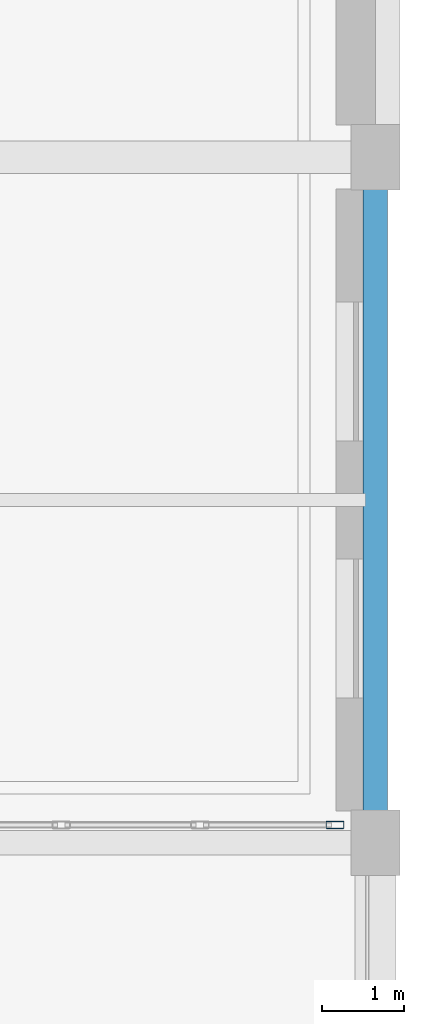
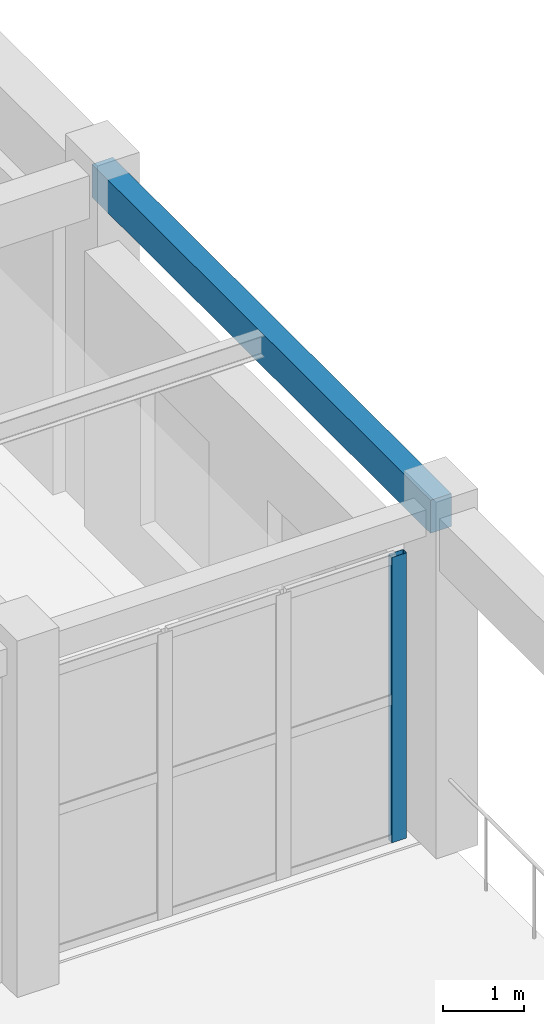
# One storey, part 52 of 98: 1 beam, 1 member, 1 element without a shape of its own.
"""IFC4 building model written with IfcOpenShell, lengths in metres."""

import ifcopenshell
import ifcopenshell.guid

model = None  # the IFC model being written
_history = None  # IfcOwnerHistory: only IFC2X3 demands one
_inside = {}  # id of a spatial element -> (the spatial element, [elements in it])
_under = {}  # id of a project, library or spatial element -> (it, [spatial elements below it])
_declared = {}  # id of a project -> (the project, [libraries it declares])
_typed = {}  # id of a type object -> (the type object, [elements of that type])
_made_of = {}  # id of a material, layer set ... -> (it, [elements and type objects made of it])


def new_model(schema):
    """Start an empty IFC model of exactly this schema.

    Asked for "IFC4X3", IfcOpenShell would pick the latest addendum, in which some entities
    have other attributes; the version numbers below select the first issue.
    IFC2X3 requires an IfcOwnerHistory on every rooted entity: one is made here for all.
    """
    global model, _history
    if schema == "IFC4X3":
        model = ifcopenshell.file(schema_version=(4, 3, 0, 0))
    else:
        model = ifcopenshell.file(schema=schema)
    _inside.clear()
    _under.clear()
    _declared.clear()
    _typed.clear()
    _made_of.clear()
    _history = None
    if model.schema == "IFC2X3":
        org = make("IfcOrganization", Name="unknown")
        user = make(
            "IfcPersonAndOrganization",
            ThePerson=make("IfcPerson", FamilyName="unknown"),
            TheOrganization=org,
        )
        app = make(
            "IfcApplication",
            ApplicationDeveloper=org,
            Version="unknown",
            ApplicationFullName="unknown",
            ApplicationIdentifier="unknown",
        )
        _history = make(
            "IfcOwnerHistory",
            OwningUser=user,
            OwningApplication=app,
            ChangeAction="ADDED",
            CreationDate=0,
        )
    return model


def make(cls, **values):
    """One entity of the class cls with the attributes given. An attribute that is None is left unset."""
    return model.create_entity(
        cls, **{name: value for name, value in values.items() if value is not None}
    )


def rooted(cls, **values):
    """An entity with a GlobalId (a new one), such as an element, a storey or a relation."""
    return make(cls, GlobalId=ifcopenshell.guid.new(), OwnerHistory=_history, **values)


def si_unit(unit_type, name, prefix=None):
    """IfcSIUnit, for example si_unit("LENGTHUNIT", "METRE", prefix="MILLI")."""
    return make("IfcSIUnit", UnitType=unit_type, Prefix=prefix, Name=name)


def assignment(units):
    """IfcUnitAssignment: the units of a project."""
    return None if units is None else make("IfcUnitAssignment", Units=units)


def point(xyz):
    """IfcCartesianPoint."""
    return None if xyz is None else make("IfcCartesianPoint", Coordinates=xyz)


def direction(xyz):
    """IfcDirection."""
    return None if xyz is None else make("IfcDirection", DirectionRatios=xyz)


def frame(location, z_axis=None, x_axis=None):
    """IfcAxis2Placement3D, a coordinate frame: its origin and axes. An axis left out is left unset."""
    return make(
        "IfcAxis2Placement3D",
        Location=point(location),
        Axis=direction(z_axis),
        RefDirection=direction(x_axis),
    )


def frame_2d(location, x_axis=None):
    """IfcAxis2Placement2D, a coordinate frame in the plane: its origin and x axis."""
    return make(
        "IfcAxis2Placement2D", Location=point(location), RefDirection=direction(x_axis)
    )


def origin():
    """The frame at (0, 0, 0) with its axes left unset."""
    return frame((0.0, 0.0, 0.0))


def origin_2d():
    """The frame at (0, 0) in the plane with its x axis left unset."""
    return frame_2d((0.0, 0.0))


def place(relative_to, where):
    """IfcLocalPlacement: puts the frame where relative to a parent placement (None: the world)."""
    return make(
        "IfcLocalPlacement", PlacementRelTo=relative_to, RelativePlacement=where
    )


def context(
    kind, dimensions, precision=None, world=None, true_north=None, identifier=None
):
    """IfcGeometricRepresentationContext, for example the 3D "Model" context."""
    return make(
        "IfcGeometricRepresentationContext",
        ContextIdentifier=identifier,
        ContextType=kind,
        CoordinateSpaceDimension=dimensions,
        Precision=precision,
        WorldCoordinateSystem=world,
        TrueNorth=true_north,
    )


def subcontext(parent, identifier, kind, view, scale=None):
    """IfcGeometricRepresentationSubContext, for example "Body" below "Model"."""
    return make(
        "IfcGeometricRepresentationSubContext",
        ContextIdentifier=identifier,
        ContextType=kind,
        ParentContext=parent,
        TargetScale=scale,
        TargetView=view,
    )


def project(units=None, contexts=None):
    """IfcProject with its units and contexts."""
    return rooted(
        "IfcProject",
        Name="project",
        RepresentationContexts=contexts,
        UnitsInContext=assignment(units),
    )


def spatial(cls, under=None, at=None, **own):
    """A site, building, storey or space (cls), placed at a placement, below another one or the project."""
    s = rooted(cls, ObjectPlacement=at, **own)
    if under is not None:
        _under.setdefault(under.id(), (under, []))[1].append(s)
    return s


def profile(cls, at=None, kind="AREA", **sizes):
    """A parametric profile (cls). Its sizes go by their IFC names, for example OverallWidth=200.0."""
    return make(cls, ProfileType=kind, Position=at, **sizes)


def rectangle(**sizes):
    """IfcRectangleProfileDef."""
    return profile("IfcRectangleProfileDef", **sizes)


def hollow_rectangle(**sizes):
    """IfcRectangleHollowProfileDef."""
    return profile("IfcRectangleHollowProfileDef", **sizes)


def extrude(swept, where, along, depth):
    """IfcExtrudedAreaSolid: the profile swept, set in the frame where, extruded along a direction by depth."""
    return make(
        "IfcExtrudedAreaSolid",
        SweptArea=swept,
        Position=where,
        ExtrudedDirection=direction(along),
        Depth=depth,
    )


def shape(context_of_items, identifier, shape_type, items):
    """IfcShapeRepresentation: the items that make up one representation, for example the "Body"."""
    return make(
        "IfcShapeRepresentation",
        ContextOfItems=context_of_items,
        RepresentationIdentifier=identifier,
        RepresentationType=shape_type,
        Items=items,
    )


def material(Name=None, Category=None):
    """IfcMaterial."""
    return make("IfcMaterial", Name=Name, Category=Category)


def layer(
    of_material, thickness, ventilated=None, Name=None, Category=None, Priority=None
):
    """IfcMaterialLayer: one layer of a wall or slab, of a material (None: an air gap)."""
    return make(
        "IfcMaterialLayer",
        Material=of_material,
        LayerThickness=thickness,
        IsVentilated=ventilated,
        Name=Name,
        Category=Category,
        Priority=Priority,
    )


def layer_set(layers, Name=None):
    """IfcMaterialLayerSet."""
    return make("IfcMaterialLayerSet", MaterialLayers=layers, LayerSetName=Name)


def material_profile(
    of_material, cross_section, Name=None, Category=None, Priority=None
):
    """IfcMaterialProfile: a cross section and its material."""
    return make(
        "IfcMaterialProfile",
        Name=Name,
        Material=of_material,
        Profile=cross_section,
        Priority=Priority,
        Category=Category,
    )


def profile_set(profiles, Name=None, composite=None):
    """IfcMaterialProfileSet."""
    return make(
        "IfcMaterialProfileSet",
        Name=Name,
        MaterialProfiles=profiles,
        CompositeProfile=composite,
    )


def made_of(thing, what):
    """Note that an element or type object is made of a material, layer set ...; save() writes the relation."""
    if what is not None:
        _made_of.setdefault(what.id(), (what, []))[1].append(thing)
    return thing


def type_object(cls, material=None, **own):
    """A type object (cls), such as IfcWallType, which elements share."""
    return made_of(rooted(cls, **own), material)


def element(
    cls,
    number,
    at=None,
    inside=None,
    cuts=None,
    type_object=None,
    material=None,
    context=None,
    identifier="Body",
    shape_type=None,
    held_by="IfcProductDefinitionShape",
    body=None,
    shapes=None,
    **own,
):
    """One element of the class cls, such as IfcWall. Its Tag is "e" and its number.

    at: its placement. inside: the storey or other place that contains it. cuts: it is an
    opening in that element (IfcRelVoidsElement). A single representation is given by context,
    identifier, shape_type and body (its items); several are given by shapes. held_by: the class
    of the entity that holds the representations. save() writes the other relations.
    """
    e = rooted(cls, Tag="e%d" % number, ObjectPlacement=at, **own)
    if body is not None:
        shapes = [shape(context, identifier, shape_type, body)]
    if shapes is not None:
        e.Representation = make(held_by, Representations=shapes)
    if inside is not None:
        _inside.setdefault(inside.id(), (inside, []))[1].append(e)
    if cuts is not None:
        rooted(
            "IfcRelVoidsElement", RelatingBuildingElement=cuts, RelatedOpeningElement=e
        )
    if type_object is not None:
        _typed.setdefault(type_object.id(), (type_object, []))[1].append(e)
    return made_of(e, material)


def aggregate(whole, parts):
    """IfcRelAggregates: a whole, such as a stair, and the parts it consists of."""
    return rooted("IfcRelAggregates", RelatingObject=whole, RelatedObjects=parts)


def save(model, path):
    """Write the relations noted so far, then the file.

    IfcRelAggregates (storeys below a building ...), IfcRelContainedInSpatialStructure (elements
    in a storey), IfcRelDefinesByType, IfcRelAssociatesMaterial and IfcRelDeclares: one each for
    every whole, place, type object, material and project.
    """
    for whole, parts in _under.values():
        aggregate(whole, parts)
    for where, things in _inside.values():
        rooted(
            "IfcRelContainedInSpatialStructure",
            RelatedElements=things,
            RelatingStructure=where,
        )
    for kind, things in _typed.values():
        rooted("IfcRelDefinesByType", RelatedObjects=things, RelatingType=kind)
    for what, things in _made_of.values():
        rooted("IfcRelAssociatesMaterial", RelatedObjects=things, RelatingMaterial=what)
    for by, libraries in _declared.values():
        rooted("IfcRelDeclares", RelatingContext=by, RelatedDefinitions=libraries)
    model.write(path)


model = new_model("IFC4")

# Units and contexts
model_context = context("Model", 3, precision=1e-05, world=origin(), true_north=direction((0.0, 1.0)))
body_context = subcontext(model_context, "Body", "Model", "MODEL_VIEW")
ifc_project = project(units=[si_unit("LENGTHUNIT", "METRE"), si_unit("AREAUNIT", "SQUARE_METRE"), si_unit("VOLUMEUNIT", "CUBIC_METRE"), si_unit("PLANEANGLEUNIT", "RADIAN"), si_unit("MASSUNIT", "GRAM", prefix="KILO")], contexts=[model_context])

# Site, building, storey
site_placement = place(None, origin())
site = spatial("IfcSite", under=ifc_project, at=site_placement, CompositionType="ELEMENT")
building_placement = place(site_placement, origin())
building = spatial("IfcBuilding", under=site, at=building_placement, Name="Tarnavel Promenade Courthouse", CompositionType="ELEMENT")
storey_placement = place(building_placement, origin())
storey = spatial("IfcBuildingStorey", under=building, at=storey_placement, Name="L01", CompositionType="ELEMENT", Elevation=0.0)

# Beam
ifc_material_1 = material(Name="Concrete C40/50", Category="concrete")
ifc_material_profile_1 = material_profile(ifc_material_1, rectangle(XDim=0.300048828125, YDim=0.5, at=origin_2d()), Name="RC 300x500")
ifc_profile_set_1 = profile_set([ifc_material_profile_1], Name="Concrete C40/50")
beam_type = type_object("IfcBeamType", Name="Concrete C40/50 BM-SP-300x500 (RC 300x500)", PredefinedType="SPANDREL", material=ifc_profile_set_1)
beam_placement = place(storey_placement, frame((162.0, 28.800048828125, 4.885009765625), z_axis=(0.0, 1.0, 0.0), x_axis=(-1.0, 0.0, 0.0)))
element("IfcBeam", 1, at=beam_placement, inside=storey, type_object=beam_type, Name="L01 Transverse Girder 0882", PredefinedType="SPANDREL", context=body_context, shape_type="SweptSolid", body=[
    extrude(rectangle(XDim=0.300048828125, YDim=0.5, at=origin_2d()), origin(), (0.0, 0.0, 1.0), 8.39990234375),
])

# Curtain wall, member
ifc_material_2 = material(Name="Thermally Broken Anodised Aluminium Curtain Wall System", Category="aluminium")
ifc_layer = layer(ifc_material_2, 0.199951171875)
ifc_layer_set = layer_set([ifc_layer], Name="Thermally Broken Anodised Aluminium Curtain Wall System")
curtain_wall_type = type_object("IfcCurtainWallType", Name="Thermally Broken Aluminium Triple-Glazed Curtain Wall CW-FOYER", PredefinedType="NOTDEFINED", material=ifc_layer_set)
curtain_wall_placement = place(storey_placement, origin())
curtain_wall = element("IfcCurtainWall", 2, at=curtain_wall_placement, inside=storey, type_object=curtain_wall_type, Name="L01 Ceremonial Cloister Curtain Wall 163", PredefinedType="NOTDEFINED")
ifc_material_3 = material(Name="Thermally Broken Anodised Aluminium Frame", Category="aluminium")
ifc_material_profile_2 = material_profile(ifc_material_3, hollow_rectangle(XDim=0.090087890625, YDim=0.219970703125, WallThickness=0.0048828125, InnerFilletRadius=0.0048828125, OuterFilletRadius=0.010009765625, at=origin_2d()), Name="CWM 220x90x5")
ifc_profile_set_2 = profile_set([ifc_material_profile_2], Name="Thermally Broken Anodised Aluminium Frame")
member_type = type_object("IfcMemberType", Name="Thermally Broken Anodised Aluminium CWM-175 (CWM 220x90x5)", PredefinedType="MULLION", material=ifc_profile_set_2)
member_placement = place(storey_placement, frame((161.5048828125, 29.02001953125, 0.0), z_axis=(0.0, 0.0, 1.0), x_axis=(0.0, 1.0, 0.0)))
member = element("IfcMember", 3, at=member_placement, type_object=member_type, Name="CW-04 mullion 4", PredefinedType="MULLION", context=body_context, shape_type="SweptSolid", body=[
    extrude(hollow_rectangle(XDim=0.090087890625, YDim=0.219970703125, WallThickness=0.0048828125, InnerFilletRadius=0.0048828125, OuterFilletRadius=0.010009765625, at=origin_2d()), origin(), (0.0, 0.0, 1.0), 4.320068359375),
])
aggregate(curtain_wall, [member])

save(model, "model.ifc")
